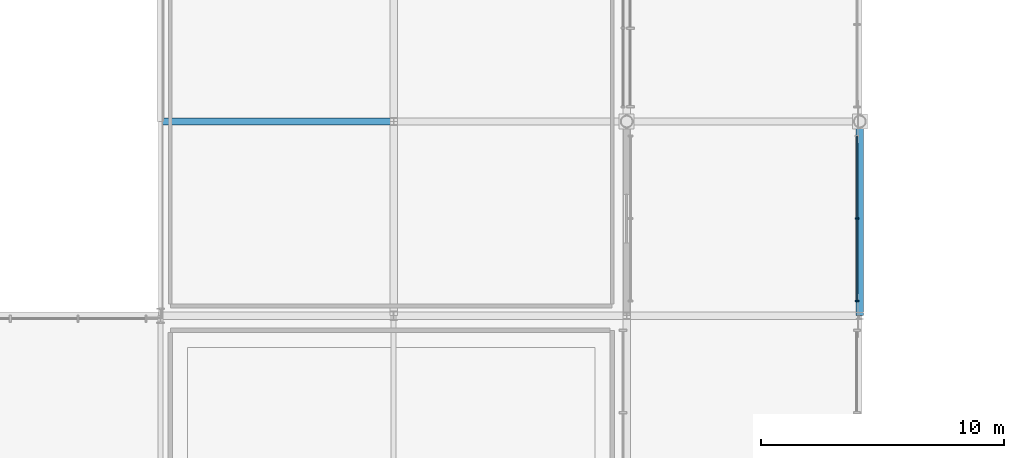
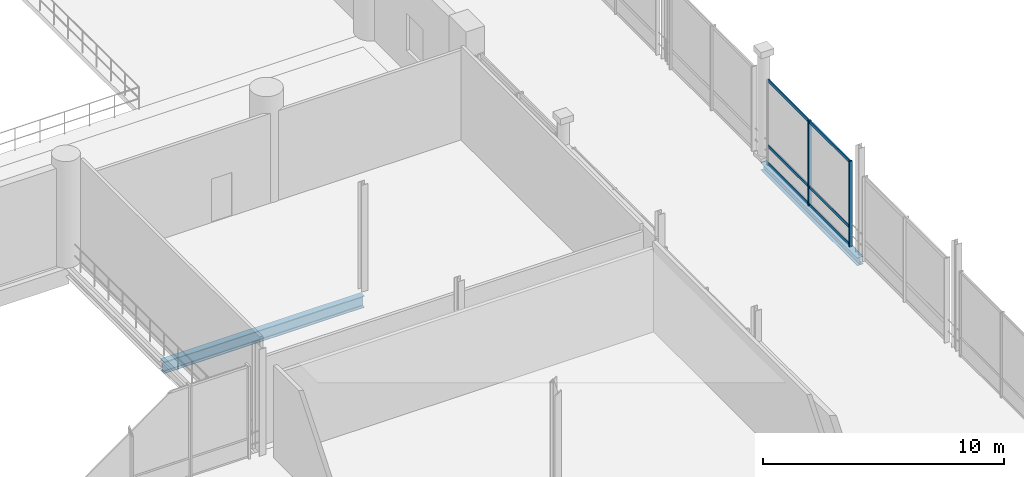
# One storey, part 45 of 129: 5 members, 2 beams, 1 element without a shape of its own.
"""IFC4 building model written with IfcOpenShell, lengths in metres."""

from ifc_helpers import new_model, si_unit, direction, frame, origin, origin_2d, place, context, subcontext, project, spatial, rectangle, i_section, extrude, material, material_profile, profile_set, type_object, element, aggregate, save


model = new_model("IFC4")

# Units and contexts
model_context = context("Model", 3, precision=1e-05, world=origin(), true_north=direction((0.0, 1.0)))
body_context = subcontext(model_context, "Body", "Model", "MODEL_VIEW")
ifc_project = project(units=[si_unit("LENGTHUNIT", "METRE"), si_unit("AREAUNIT", "SQUARE_METRE"), si_unit("VOLUMEUNIT", "CUBIC_METRE"), si_unit("PLANEANGLEUNIT", "RADIAN"), si_unit("MASSUNIT", "GRAM", prefix="KILO")], contexts=[model_context])

# Site, building, storey
site_placement = place(None, origin())
site = spatial("IfcSite", under=ifc_project, at=site_placement, CompositionType="ELEMENT")
building_placement = place(site_placement, origin())
building = spatial("IfcBuilding", under=site, at=building_placement, Name="Danafjord Basin Convention Centre", CompositionType="ELEMENT")
storey_placement = place(building_placement, frame((0.0, 0.0, 6.0)))
storey = spatial("IfcBuildingStorey", under=building, at=storey_placement, Name="L01", CompositionType="ELEMENT", Elevation=6.0)

# Beams
ifc_material_1 = material(Name="Steel S355", Category="steel")
ifc_material_profile_1 = material_profile(ifc_material_1, i_section(OverallWidth=0.300048828125, OverallDepth=0.590087890625, WebThickness=0.012939453125, FlangeThickness=0.02490234375, FilletRadius=0.027099609375, at=origin_2d()), Name="HEA 600")
ifc_profile_set_1 = profile_set([ifc_material_profile_1], Name="Steel S355")
beam_type_1 = type_object("IfcBeamType", Name="BEAM-BM-HEA600", PredefinedType="BEAM", material=ifc_profile_set_1)
beam_1_placement = place(storey_placement, frame((96.0, 48.0, -0.52490234375), z_axis=(1.0, 0.0, 0.0), x_axis=(0.0, 1.0, 0.0)))
element("IfcBeam", 1, at=beam_1_placement, inside=storey, type_object=beam_type_1, Name="L01 girder BM-HEA600", PredefinedType="BEAM", context=body_context, shape_type="SweptSolid", body=[
    extrude(i_section(OverallWidth=0.300048828125, OverallDepth=0.590087890625, WebThickness=0.012939453125, FlangeThickness=0.02490234375, FilletRadius=0.027099609375, at=origin_2d()), origin(), (0.0, 0.0, 1.0), 9.60009765625),
])
ifc_material_profile_2 = material_profile(ifc_material_1, i_section(OverallWidth=0.300048828125, OverallDepth=0.39990234375, WebThickness=0.013427734375, FlangeThickness=0.02392578125, FilletRadius=0.027099609375, at=origin_2d()), Name="HEB 400")
ifc_profile_set_2 = profile_set([ifc_material_profile_2], Name="Steel S355")
beam_type_2 = type_object("IfcBeamType", Name="BEAM-SP-HEB400", PredefinedType="SPANDREL", material=ifc_profile_set_2)
beam_2_placement = place(storey_placement, frame((124.800048828125, 40.0, -0.429931640625), z_axis=(0.0, 1.0, 0.0), x_axis=(-1.0, 0.0, 0.0)))
element("IfcBeam", 2, at=beam_2_placement, inside=storey, type_object=beam_type_2, Name="L01 transverse girder SP-HEB400", PredefinedType="SPANDREL", context=body_context, shape_type="SweptSolid", body=[
    extrude(i_section(OverallWidth=0.300048828125, OverallDepth=0.39990234375, WebThickness=0.013427734375, FlangeThickness=0.02392578125, FilletRadius=0.027099609375, at=origin_2d()), origin(), (0.0, 0.0, 1.0), 8.0),
])

# Curtain wall, members
ifc_material_2 = material(Name="Anodised aluminium and triple glazing", Category="aluminium")
curtain_wall_type = type_object("IfcCurtainWallType", Name="CW-CW-BRIDGE", PredefinedType="NOTDEFINED", material=ifc_material_2)
curtain_wall_placement = place(storey_placement, origin())
curtain_wall = element("IfcCurtainWall", 3, at=curtain_wall_placement, inside=storey, type_object=curtain_wall_type, Name="L01 CW-BRIDGE unitised curtain wall bay 160", PredefinedType="NOTDEFINED")
ifc_material_3 = material(Name="Anodised aluminium EN AW-6060", Category="aluminium")
ifc_material_profile_3 = material_profile(ifc_material_3, rectangle(XDim=0.06005859375, YDim=0.139892578125, at=origin_2d()), Name="MULL 60x140")
ifc_profile_set_3 = profile_set([ifc_material_profile_3], Name="Anodised aluminium EN AW-6060")
member_type_1 = type_object("IfcMemberType", Name="MEM-ML-140", PredefinedType="MULLION", material=ifc_profile_set_3)
member_1_placement = place(storey_placement, frame((124.679931640625, 40.60009765625, -0.02490234375), z_axis=(0.0, 0.0, 1.0), x_axis=(0.0, 1.0, 0.0)))
member_1 = element("IfcMember", 4, at=member_1_placement, type_object=member_type_1, Name="CW-L01-160 mullion 1", PredefinedType="MULLION", context=body_context, shape_type="SweptSolid", body=[
    extrude(rectangle(XDim=0.06005859375, YDim=0.139892578125, at=origin_2d()), origin(), (0.0, 0.0, 1.0), 4.349853515625),
])
member_2_placement = place(storey_placement, frame((124.679931640625, 44.0, -0.02490234375), z_axis=(0.0, 0.0, 1.0), x_axis=(0.0, 1.0, 0.0)))
member_2 = element("IfcMember", 5, at=member_2_placement, type_object=member_type_1, Name="CW-L01-160 mullion 2", PredefinedType="MULLION", context=body_context, shape_type="SweptSolid", body=[
    extrude(rectangle(XDim=0.06005859375, YDim=0.139892578125, at=origin_2d()), origin(), (0.0, 0.0, 1.0), 4.349853515625),
])
ifc_material_profile_4 = material_profile(ifc_material_3, rectangle(XDim=0.06005859375, YDim=0.14990234375, at=origin_2d()), Name="TRAN 60x150")
ifc_profile_set_4 = profile_set([ifc_material_profile_4], Name="Anodised aluminium EN AW-6060")
member_type_2 = type_object("IfcMemberType", Name="MEM-TR-150", PredefinedType="USERDEFINED", material=ifc_profile_set_4)
member_3_placement = place(storey_placement, frame((124.679931640625, 40.60009765625, 0.06005859375), z_axis=(0.0, 1.0, 0.0), x_axis=(-1.0, 0.0, 0.0)))
member_3 = element("IfcMember", 6, at=member_3_placement, type_object=member_type_2, Name="CW-L01-160 transom 1", ObjectType="TRANSOM", PredefinedType="USERDEFINED", context=body_context, shape_type="SweptSolid", body=[
    extrude(rectangle(XDim=0.06005859375, YDim=0.14990234375, at=origin_2d()), origin(), (0.0, 0.0, 1.0), 6.7998046875),
])
member_4_placement = place(storey_placement, frame((124.679931640625, 40.60009765625, 0.949951171875), z_axis=(0.0, 1.0, 0.0), x_axis=(-1.0, 0.0, 0.0)))
member_4 = element("IfcMember", 7, at=member_4_placement, type_object=member_type_2, Name="CW-L01-160 transom 2", ObjectType="TRANSOM", PredefinedType="USERDEFINED", context=body_context, shape_type="SweptSolid", body=[
    extrude(rectangle(XDim=0.06005859375, YDim=0.14990234375, at=origin_2d()), origin(), (0.0, 0.0, 1.0), 6.7998046875),
])
member_5_placement = place(storey_placement, frame((124.679931640625, 40.60009765625, 4.2548828125), z_axis=(0.0, 1.0, 0.0), x_axis=(-1.0, 0.0, 0.0)))
member_5 = element("IfcMember", 8, at=member_5_placement, type_object=member_type_2, Name="CW-L01-160 transom 3", ObjectType="TRANSOM", PredefinedType="USERDEFINED", context=body_context, shape_type="SweptSolid", body=[
    extrude(rectangle(XDim=0.06005859375, YDim=0.14990234375, at=origin_2d()), origin(), (0.0, 0.0, 1.0), 6.7998046875),
])
aggregate(curtain_wall, [member_1, member_2, member_3, member_4, member_5])

save(model, "model.ifc")
